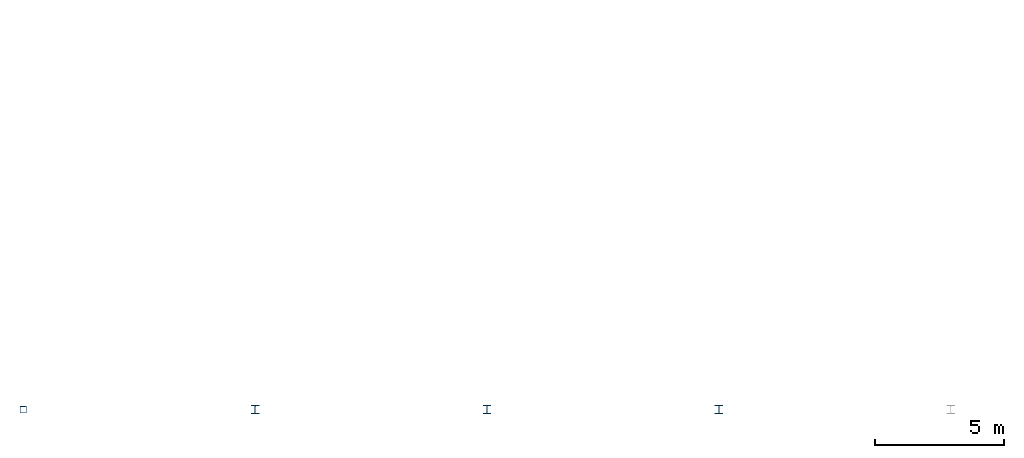
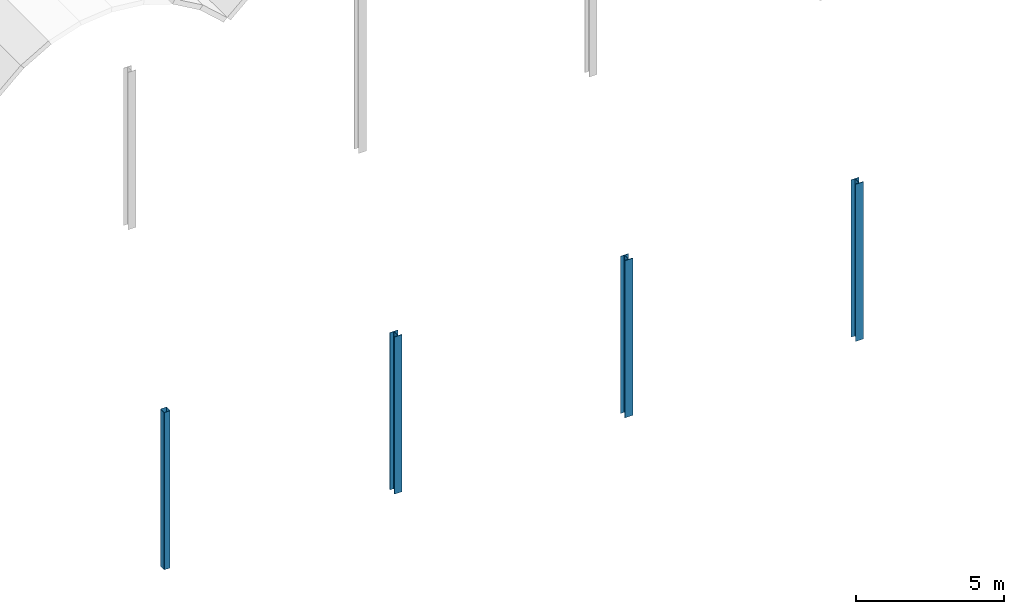
# One storey, part 1 of 5: 4 columns.
"""IFC4 building model written with IfcOpenShell, lengths in metres."""

from ifc_helpers import new_model, si_unit, direction, frame, origin, origin_2d, place, context, subcontext, project, spatial, hollow_rectangle, i_section, extrude, material, material_profile, profile_set, type_object, element, save


model = new_model("IFC4")

# Units and contexts
model_context = context("Model", 3, precision=1e-05, world=origin(), true_north=direction((0.0, 1.0)))
body_context = subcontext(model_context, "Body", "Model", "MODEL_VIEW")
ifc_project = project(units=[si_unit("LENGTHUNIT", "METRE"), si_unit("AREAUNIT", "SQUARE_METRE"), si_unit("VOLUMEUNIT", "CUBIC_METRE"), si_unit("PLANEANGLEUNIT", "RADIAN"), si_unit("MASSUNIT", "GRAM", prefix="KILO")], contexts=[model_context])

# Site, building, storey
site_placement = place(None, origin())
site = spatial("IfcSite", under=ifc_project, at=site_placement, CompositionType="ELEMENT")
building_placement = place(site_placement, origin())
building = spatial("IfcBuilding", under=site, at=building_placement, Name="Shorebreak Coast Museum", CompositionType="ELEMENT")
storey_placement = place(building_placement, frame((0.0, 0.0, 44.0)))
storey = spatial("IfcBuildingStorey", under=building, at=storey_placement, Name="Roof", CompositionType="ELEMENT", Elevation=44.0)

# Columns
ifc_material_1 = material(Name="Steel Grade C450L0", Category="steel")
ifc_material_profile_1 = material_profile(ifc_material_1, hollow_rectangle(XDim=0.25, YDim=0.25, WallThickness=0.009033203125, InnerFilletRadius=0.013427734375, OuterFilletRadius=0.0224609375, at=origin_2d()), Name="250x250x9.0 SHS")
ifc_profile_set_1 = profile_set([ifc_material_profile_1], Name="Steel Grade C450L0")
column_type_1 = type_object("IfcColumnType", Name="Column 250x250x9.0 SHS", PredefinedType="COLUMN", material=ifc_profile_set_1)
column_placement = place(storey_placement, frame((54.0, 63.0, 0.0), z_axis=(0.0, 0.0, 1.0), x_axis=(1.0, 0.0, 0.0)))
element("IfcColumn", 1, at=column_placement, inside=storey, type_object=column_type_1, Name="Column Roof 7H", PredefinedType="COLUMN", context=body_context, shape_type="SweptSolid", body=[
    extrude(hollow_rectangle(XDim=0.25, YDim=0.25, WallThickness=0.009033203125, InnerFilletRadius=0.013427734375, OuterFilletRadius=0.0224609375, at=origin_2d()), origin(), (0.0, 0.0, 1.0), 6.489990234375),
])
ifc_material_2 = material(Name="Steel Grade 300", Category="steel")
ifc_material_profile_2 = material_profile(ifc_material_2, i_section(OverallWidth=0.306884765625, OverallDepth=0.314697265625, WebThickness=0.011962890625, FlangeThickness=0.018798828125, FilletRadius=0.0166015625, at=origin_2d()), Name="310UC118")
ifc_profile_set_2 = profile_set([ifc_material_profile_2], Name="Steel Grade 300")
column_type_2 = type_object("IfcColumnType", Name="Column 310UC118", PredefinedType="COLUMN", material=ifc_profile_set_2)
for number, where, z_axis, x_axis, name in (
    (2, (63.0, 63.0, 0.0), (0.0, 0.0, 1.0), (1.0, 0.0, 0.0), "Column Roof 8H"),
    (3, (72.0, 63.0, 0.0), (0.0, 0.0, 1.0), (1.0, 0.0, 0.0), "Column Roof 9H"),
    (4, (81.0, 63.0, 0.0), (0.0, 0.0, 1.0), (1.0, 0.0, 0.0), "Column Roof 10H"),
):
    element("IfcColumn", number, at=place(storey_placement, frame(where, z_axis=z_axis, x_axis=x_axis)), inside=storey, type_object=column_type_2, Name=name, PredefinedType="COLUMN", context=body_context, shape_type="SweptSolid", body=[
        extrude(i_section(OverallWidth=0.306884765625, OverallDepth=0.314697265625, WebThickness=0.011962890625, FlangeThickness=0.018798828125, FilletRadius=0.0166015625, at=origin_2d()), origin(), (0.0, 0.0, 1.0), 6.489990234375),
    ])

save(model, "model.ifc")
